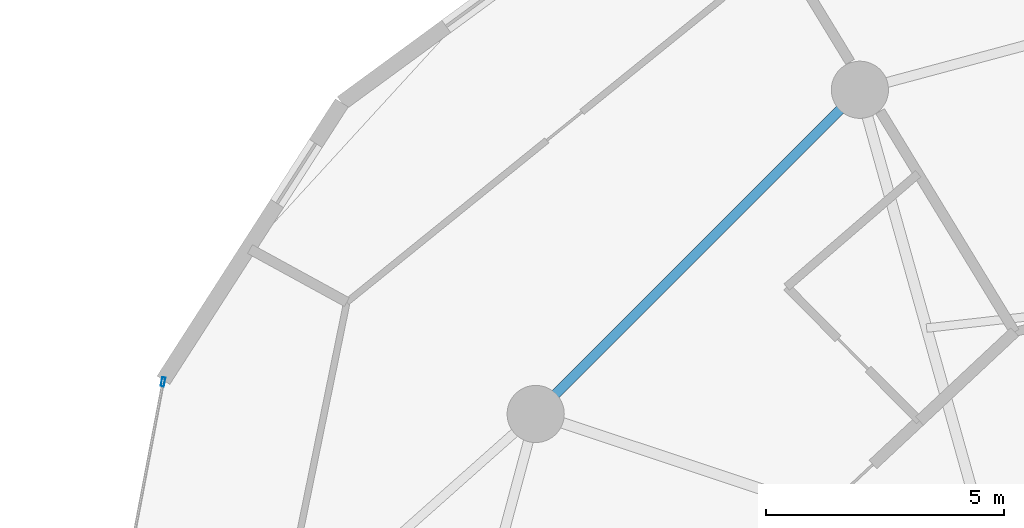
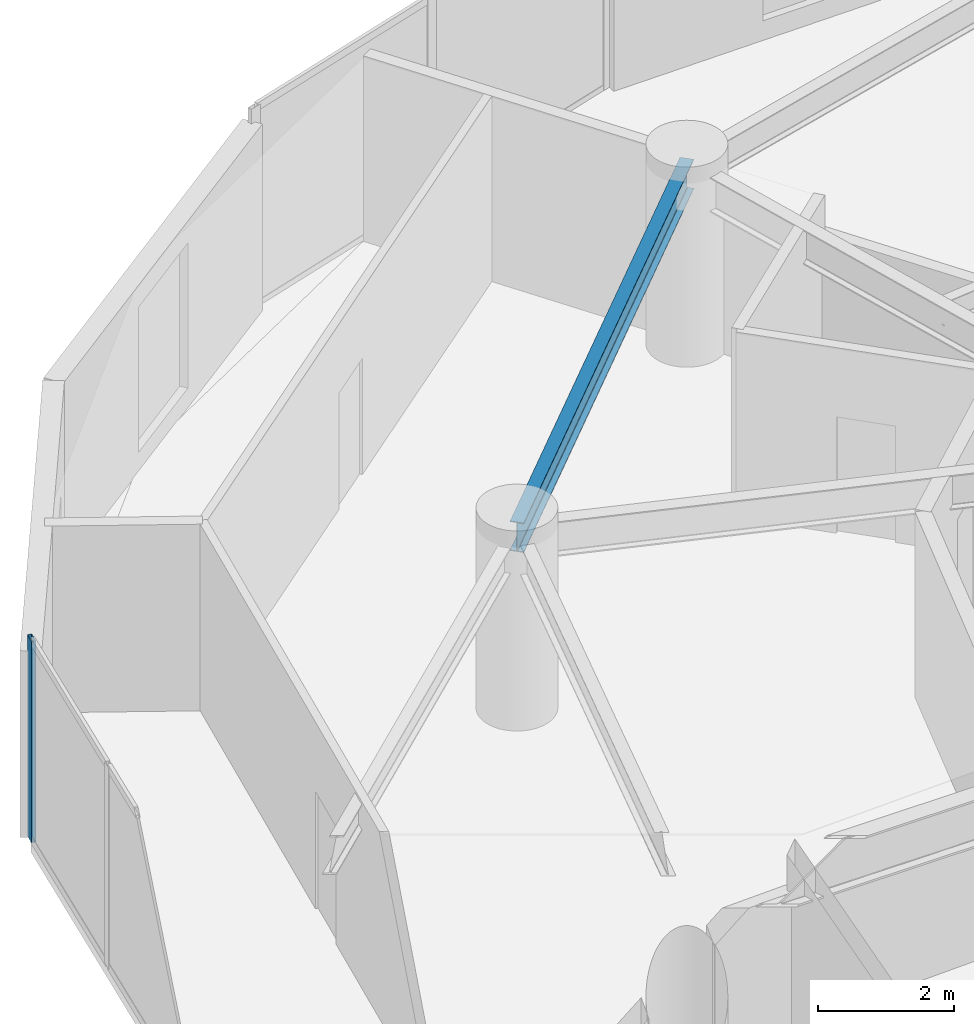
# One storey, part 10 of 22: 1 beam, 1 member, 1 element without a shape of its own.
"""IFC4 building model written with IfcOpenShell, lengths in metres."""

from ifc_helpers import new_model, si_unit, direction, frame, origin, origin_2d, place, context, subcontext, project, spatial, hollow_rectangle, i_section, extrude, source, transform, mapped, material, layer, layer_set, material_profile, profile_set, type_object, element, aggregate, save


model = new_model("IFC4")

# Units and contexts
model_context = context("Model", 3, precision=1e-05, world=origin(), true_north=direction((0.0, 1.0)))
body_context = subcontext(model_context, "Body", "Model", "MODEL_VIEW")
ifc_project = project(units=[si_unit("LENGTHUNIT", "METRE"), si_unit("AREAUNIT", "SQUARE_METRE"), si_unit("VOLUMEUNIT", "CUBIC_METRE"), si_unit("PLANEANGLEUNIT", "RADIAN"), si_unit("MASSUNIT", "GRAM", prefix="KILO")], contexts=[model_context])

# Site, building, storey
site_placement = place(None, origin())
site = spatial("IfcSite", under=ifc_project, at=site_placement, CompositionType="ELEMENT")
building_placement = place(site_placement, origin())
building = spatial("IfcBuilding", under=site, at=building_placement, Name="Solvirekh Grand Hotel", CompositionType="ELEMENT")
storey_placement = place(building_placement, frame((0.0, 0.0, 78.800048828125)))
storey = spatial("IfcBuildingStorey", under=building, at=storey_placement, Name="L19", CompositionType="ELEMENT", Elevation=78.800048828125)

# Beam
ifc_material_1 = material(Name="Steel S355", Category="steel")
ifc_material_profile_1 = material_profile(ifc_material_1, i_section(OverallWidth=0.208984375, OverallDepth=0.532958984375, WebThickness=0.010009765625, FlangeThickness=0.014892578125, FilletRadius=0.013916015625, at=origin_2d()), Name="W530X92")
ifc_profile_set_1 = profile_set([ifc_material_profile_1], Name="Steel S355")
beam_type = type_object("IfcBeamType", Name="Spandrel_Ring_W530", PredefinedType="SPANDREL", material=ifc_profile_set_1)
beam_placement = place(storey_placement, frame((-9.300048828125, 16.10791015625, 3.073974609375), z_axis=(-0.707106781187, -0.707106781187, 0.0), x_axis=(0.707106781187, -0.707106781187, 0.0)))
element("IfcBeam", 1, at=beam_placement, inside=storey, type_object=beam_type, Name="L19 perimeter spandrel beam 5", PredefinedType="SPANDREL", context=body_context, shape_type="SweptSolid", body=[
    extrude(i_section(OverallWidth=0.208984375, OverallDepth=0.532958984375, WebThickness=0.010009765625, FlangeThickness=0.014892578125, FilletRadius=0.013916015625, at=origin_2d()), origin(), (0.0, 0.0, 1.0), 9.627685546875),
])

# Curtain wall, member
ifc_material_2 = material(Name="Anodized Bronze Aluminium 6063-T6", Category="aluminium")
ifc_layer = layer(ifc_material_2, 0.18994140625)
ifc_layer_set = layer_set([ifc_layer], Name="Anodized Bronze Aluminium 6063-T6")
curtain_wall_type = type_object("IfcCurtainWallType", Name="CW_Sys2_LowZoneFlushBronzeCW", PredefinedType="NOTDEFINED", material=ifc_layer_set)
curtain_wall_placement = place(storey_placement, origin())
curtain_wall = element("IfcCurtainWall", 2, at=curtain_wall_placement, inside=storey, type_object=curtain_wall_type, Name="L19 unitised bronze-glass curtain wall CW-L19-C11", PredefinedType="NOTDEFINED")
ifc_material_profile_2 = material_profile(ifc_material_2, hollow_rectangle(XDim=0.070068359375, YDim=0.18994140625, WallThickness=0.0048828125, at=origin_2d()), Name="ALU RHS 190X70X5")
ifc_profile_set_2 = profile_set([ifc_material_profile_2], Name="Anodized Bronze Aluminium 6063-T6")
member_type = type_object("IfcMemberType", Name="CWMullion_Sys2", PredefinedType="MULLION", material=ifc_profile_set_2)
shared_shape = source(origin(), body_context, "Body", "SweptSolid", [
    extrude(hollow_rectangle(XDim=0.070068359375, YDim=0.18994140625, WallThickness=0.0048828125, at=origin_2d()), origin(), (0.0, 0.0, 1.0), 3.599853515625),
])
member_placement = place(storey_placement, frame((-23.9326171875, 9.974609375, 0.0), z_axis=(0.0, 0.0, 1.0), x_axis=(0.98241306275, -0.186720577707, 0.0)))
member = element("IfcMember", 3, at=member_placement, type_object=member_type, Name="U02 mullion 1", PredefinedType="MULLION", context=body_context, shape_type="MappedRepresentation", body=[
    mapped(shared_shape, transform((0.0, 0.0, 0.0), x_axis=(1.0, 0.0, 0.0), y_axis=(0.0, 1.0, 0.0), z_axis=(0.0, 0.0, 1.0), scale=1.0)),
])
aggregate(curtain_wall, [member])

save(model, "model.ifc")
